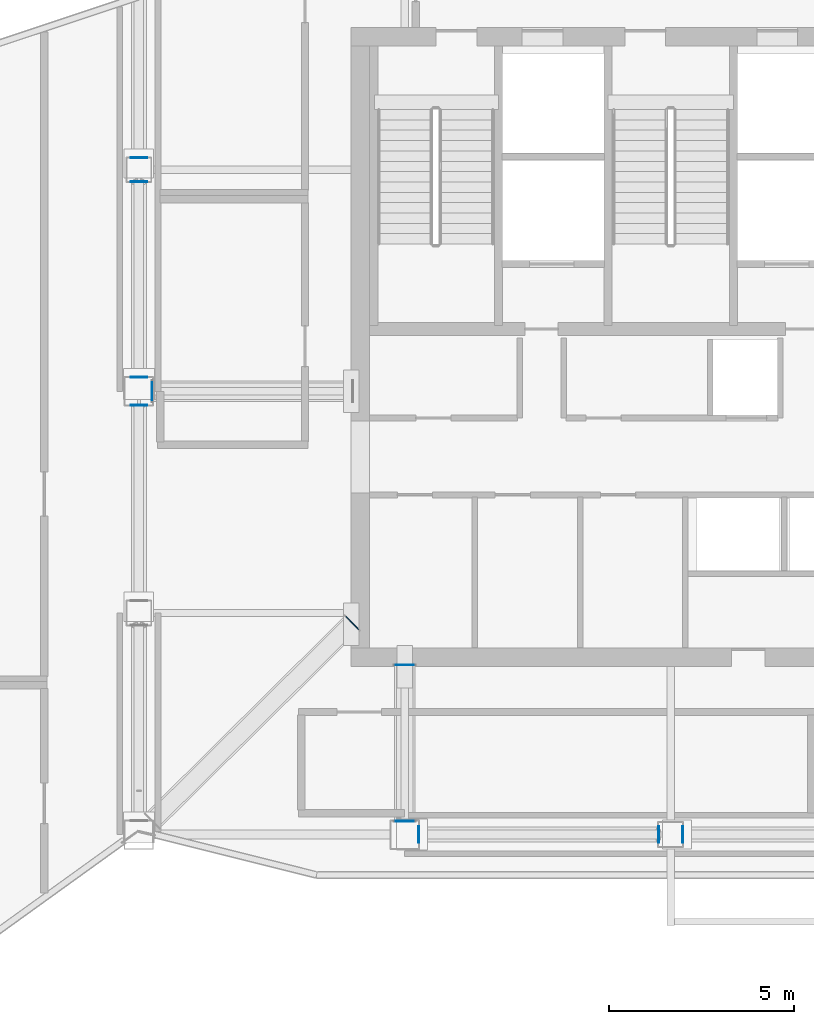
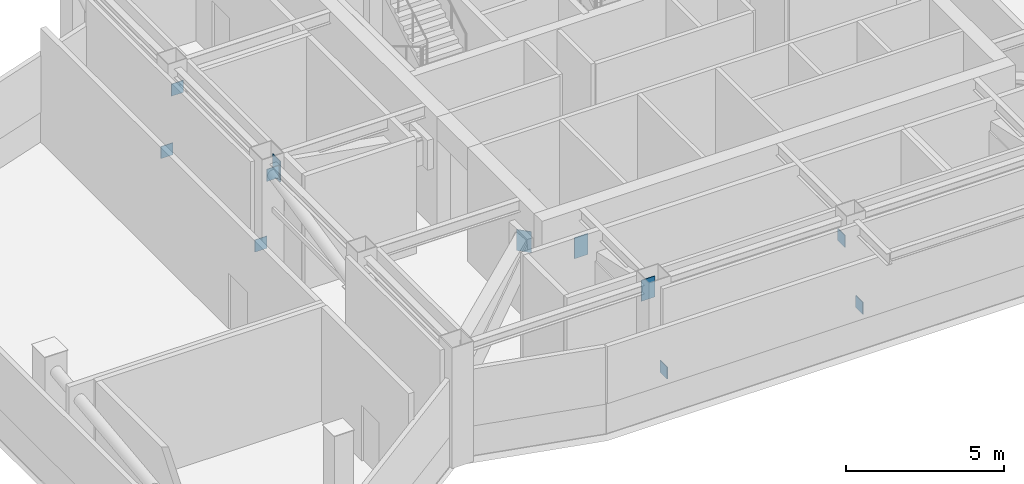
# One storey, part 6 of 15: 11 plates.
"""IFC4 building model written with IfcOpenShell, lengths in metres."""

from ifc_helpers import new_model, si_unit, direction, frame, origin, origin_2d, place, context, subcontext, project, spatial, rectangle, extrude, material, layer, layer_set, type_object, element, save


model = new_model("IFC4")

# Units and contexts
model_context = context("Model", 3, precision=1e-05, world=origin(), true_north=direction((0.0, 1.0)))
body_context = subcontext(model_context, "Body", "Model", "MODEL_VIEW")
ifc_project = project(units=[si_unit("LENGTHUNIT", "METRE"), si_unit("AREAUNIT", "SQUARE_METRE"), si_unit("VOLUMEUNIT", "CUBIC_METRE"), si_unit("PLANEANGLEUNIT", "RADIAN"), si_unit("MASSUNIT", "GRAM", prefix="KILO")], contexts=[model_context])

# Site, building, storey
site_placement = place(None, origin())
site = spatial("IfcSite", under=ifc_project, at=site_placement, CompositionType="ELEMENT")
building_placement = place(site_placement, origin())
building = spatial("IfcBuilding", under=site, at=building_placement, Name="Haolan Belvedere Tower", CompositionType="ELEMENT")
storey_placement = place(building_placement, frame((0.0, 0.0, 277.550048828125)))
storey = spatial("IfcBuildingStorey", under=building, at=storey_placement, Name="L70", CompositionType="ELEMENT", Elevation=277.550048828125)

# Plates
ifc_material = material(Name="Steel Q355B", Category="steel")
ifc_layer = layer(ifc_material, 0.02490234375, Name="Steel Q355B")
ifc_layer_set = layer_set([ifc_layer], Name="Steel Q355B")
plate_type = type_object("IfcPlateType", Name="PL-CAP-25", PredefinedType="SHEET", material=ifc_layer_set)
for number, where, z_axis, x_axis, name in (
    (1, (24.357666015625, 33.60009765625, 3.43701171875), (0.0, 0.0, 1.0), (0.0, -1.0, 0.0), "Hollow steel end-cap plate OR-W1-L70-DG-CAP1"),
    (2, (29.780029296875, 27.329833984375, 2.513427734375), (0.0, 0.0, 1.0), (-0.704014724456, 0.710185375623, 0.0), "Hollow steel end-cap plate OR-W2-L70-DG-CAP0"),
    (3, (31.199951171875, 26.192138671875, 2.51220703125), (0.0, 0.0, 1.0), (-1.0, 0.0, 0.0), "Hollow steel end-cap plate OR-S1-L70-DG-CAP0"),
    (4, (31.199951171875, 21.957763671875, 3.4375), (0.0, 0.0, 1.0), (1.0, 0.0, 0.0), "Hollow steel end-cap plate OR-S1-L70-DG-CAP1"),
):
    element("IfcPlate", number, at=place(storey_placement, frame(where, z_axis=z_axis, x_axis=x_axis)), inside=storey, type_object=plate_type, Name=name, PredefinedType="SHEET", context=body_context, shape_type="SweptSolid", body=[
        extrude(rectangle(XDim=0.489990234375, YDim=0.02490234375, at=origin_2d()), origin(), (0.0, 0.0, 1.0), 0.81005859375),
    ])
for number, where, z_axis, x_axis, name in (
    (5, (24.0, 33.22216796875, 3.74951171875), (0.0, 0.0, 1.0), (-1.0, 0.0, 0.0), "Hollow steel end-cap plate BT-W2-L70-CAP1"),
    (6, (24.0, 33.97900390625, 0.56103515625), (0.0, 0.0, 1.0), (1.0, 0.0, 0.0), "Hollow steel end-cap plate BT-W3-L70-CAP0"),
    (7, (24.0, 39.27099609375, 3.37255859375), (0.0, 0.0, 1.0), (-1.0, 0.0, 0.0), "Hollow steel end-cap plate BT-W3-L70-CAP1"),
    (8, (24.0, 39.928955078125, 0.56103515625), (0.0, 0.0, 1.0), (1.0, 0.0, 0.0), "Hollow steel end-cap plate BT-W4-L70-CAP0"),
    (9, (31.57861328125, 21.60009765625, 0.56201171875), (0.0, 0.0, 1.0), (0.0, -1.0, 0.0), "Hollow steel end-cap plate BT-S1-L70-CAP0"),
    (10, (38.071533203125, 21.60009765625, 3.3720703125), (0.0, 0.0, 1.0), (0.0, 1.0, 0.0), "Hollow steel end-cap plate BT-S1-L70-CAP1"),
    (11, (38.728515625, 21.60009765625, 0.56201171875), (0.0, 0.0, 1.0), (0.0, -1.0, 0.0), "Hollow steel end-cap plate BT-S2-L70-CAP0"),
):
    element("IfcPlate", number, at=place(storey_placement, frame(where, z_axis=z_axis, x_axis=x_axis)), inside=storey, type_object=plate_type, Name=name, PredefinedType="SHEET", context=body_context, shape_type="SweptSolid", body=[
        extrude(rectangle(XDim=0.446044921875, YDim=0.02490234375, at=origin_2d()), origin(), (0.0, 0.0, 1.0), 0.466064453125),
    ])

save(model, "model.ifc")
